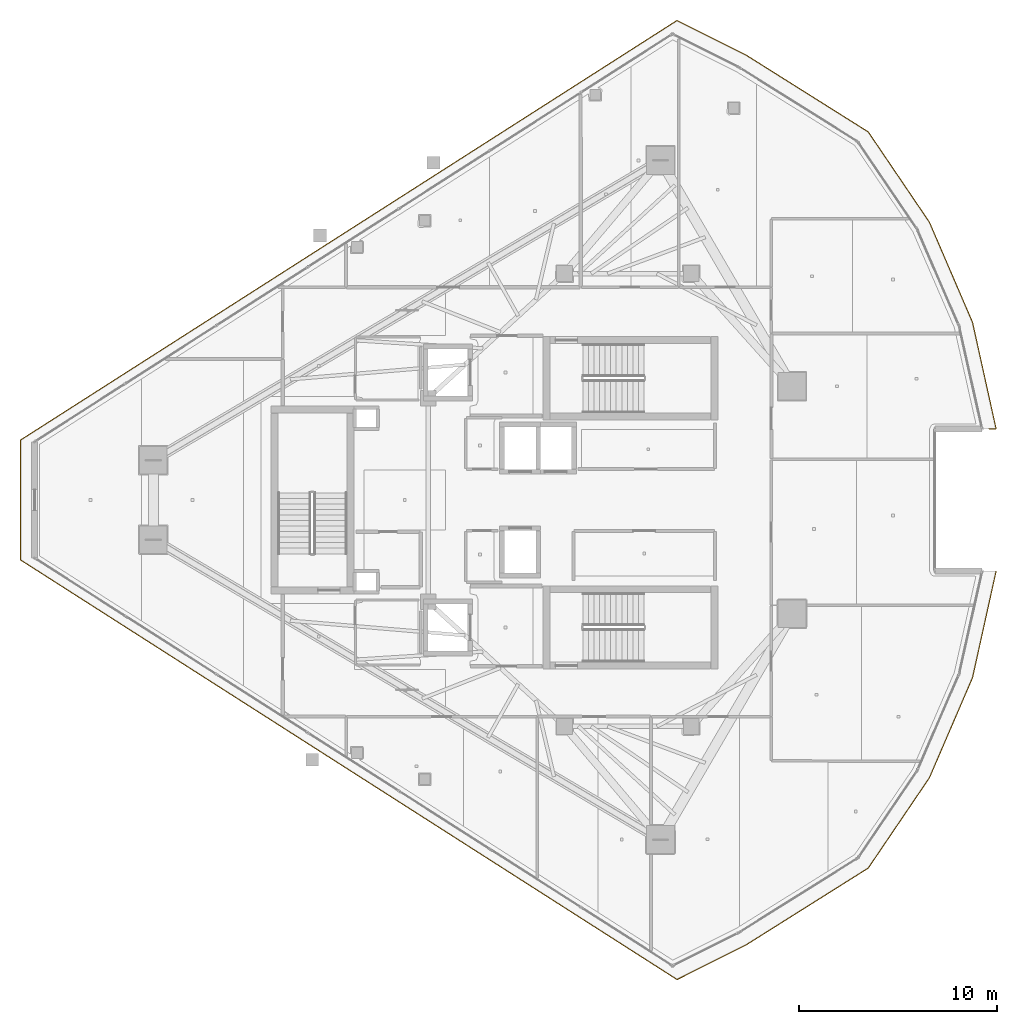
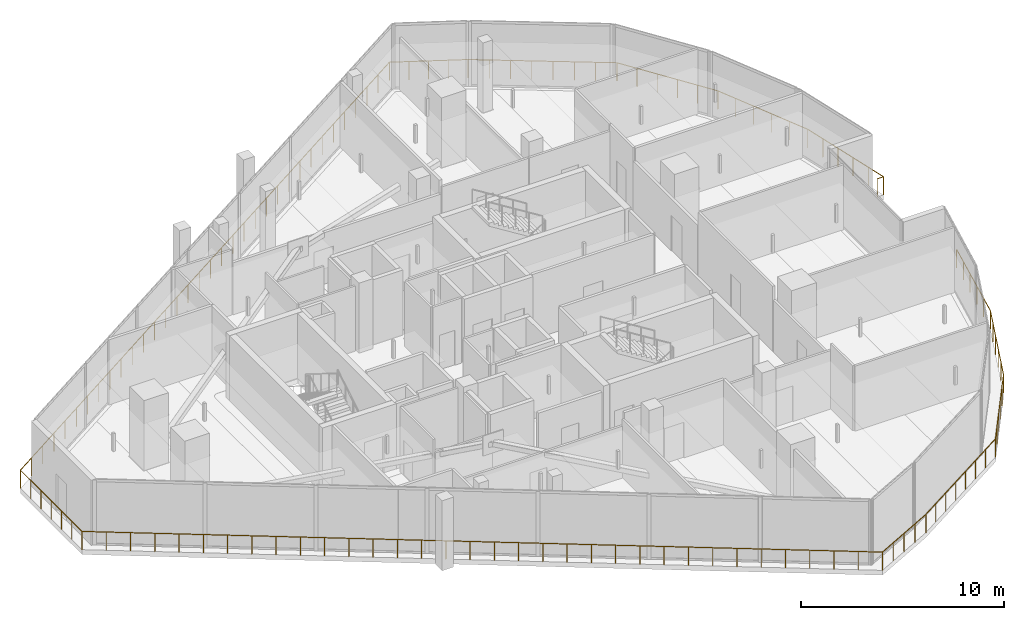
# One storey, part 28 of 30: 1 railing.
"""IFC4 building model written with IfcOpenShell, lengths in metres."""

import ifcopenshell
import ifcopenshell.guid

model = None  # the IFC model being written
_history = None  # IfcOwnerHistory: only IFC2X3 demands one
_inside = {}  # id of a spatial element -> (the spatial element, [elements in it])
_under = {}  # id of a project, library or spatial element -> (it, [spatial elements below it])
_declared = {}  # id of a project -> (the project, [libraries it declares])
_typed = {}  # id of a type object -> (the type object, [elements of that type])
_made_of = {}  # id of a material, layer set ... -> (it, [elements and type objects made of it])


def new_model(schema):
    """Start an empty IFC model of exactly this schema.

    Asked for "IFC4X3", IfcOpenShell would pick the latest addendum, in which some entities
    have other attributes; the version numbers below select the first issue.
    IFC2X3 requires an IfcOwnerHistory on every rooted entity: one is made here for all.
    """
    global model, _history
    if schema == "IFC4X3":
        model = ifcopenshell.file(schema_version=(4, 3, 0, 0))
    else:
        model = ifcopenshell.file(schema=schema)
    _inside.clear()
    _under.clear()
    _declared.clear()
    _typed.clear()
    _made_of.clear()
    _history = None
    if model.schema == "IFC2X3":
        org = make("IfcOrganization", Name="unknown")
        user = make(
            "IfcPersonAndOrganization",
            ThePerson=make("IfcPerson", FamilyName="unknown"),
            TheOrganization=org,
        )
        app = make(
            "IfcApplication",
            ApplicationDeveloper=org,
            Version="unknown",
            ApplicationFullName="unknown",
            ApplicationIdentifier="unknown",
        )
        _history = make(
            "IfcOwnerHistory",
            OwningUser=user,
            OwningApplication=app,
            ChangeAction="ADDED",
            CreationDate=0,
        )
    return model


def make(cls, **values):
    """One entity of the class cls with the attributes given. An attribute that is None is left unset."""
    return model.create_entity(
        cls, **{name: value for name, value in values.items() if value is not None}
    )


def rooted(cls, **values):
    """An entity with a GlobalId (a new one), such as an element, a storey or a relation."""
    return make(cls, GlobalId=ifcopenshell.guid.new(), OwnerHistory=_history, **values)


def si_unit(unit_type, name, prefix=None):
    """IfcSIUnit, for example si_unit("LENGTHUNIT", "METRE", prefix="MILLI")."""
    return make("IfcSIUnit", UnitType=unit_type, Prefix=prefix, Name=name)


def assignment(units):
    """IfcUnitAssignment: the units of a project."""
    return None if units is None else make("IfcUnitAssignment", Units=units)


def point(xyz):
    """IfcCartesianPoint."""
    return None if xyz is None else make("IfcCartesianPoint", Coordinates=xyz)


def direction(xyz):
    """IfcDirection."""
    return None if xyz is None else make("IfcDirection", DirectionRatios=xyz)


def frame(location, z_axis=None, x_axis=None):
    """IfcAxis2Placement3D, a coordinate frame: its origin and axes. An axis left out is left unset."""
    return make(
        "IfcAxis2Placement3D",
        Location=point(location),
        Axis=direction(z_axis),
        RefDirection=direction(x_axis),
    )


def frame_2d(location, x_axis=None):
    """IfcAxis2Placement2D, a coordinate frame in the plane: its origin and x axis."""
    return make(
        "IfcAxis2Placement2D", Location=point(location), RefDirection=direction(x_axis)
    )


def origin():
    """The frame at (0, 0, 0) with its axes left unset."""
    return frame((0.0, 0.0, 0.0))


def origin_2d():
    """The frame at (0, 0) in the plane with its x axis left unset."""
    return frame_2d((0.0, 0.0))


def place(relative_to, where):
    """IfcLocalPlacement: puts the frame where relative to a parent placement (None: the world)."""
    return make(
        "IfcLocalPlacement", PlacementRelTo=relative_to, RelativePlacement=where
    )


def context(
    kind, dimensions, precision=None, world=None, true_north=None, identifier=None
):
    """IfcGeometricRepresentationContext, for example the 3D "Model" context."""
    return make(
        "IfcGeometricRepresentationContext",
        ContextIdentifier=identifier,
        ContextType=kind,
        CoordinateSpaceDimension=dimensions,
        Precision=precision,
        WorldCoordinateSystem=world,
        TrueNorth=true_north,
    )


def subcontext(parent, identifier, kind, view, scale=None):
    """IfcGeometricRepresentationSubContext, for example "Body" below "Model"."""
    return make(
        "IfcGeometricRepresentationSubContext",
        ContextIdentifier=identifier,
        ContextType=kind,
        ParentContext=parent,
        TargetScale=scale,
        TargetView=view,
    )


def project(units=None, contexts=None):
    """IfcProject with its units and contexts."""
    return rooted(
        "IfcProject",
        Name="project",
        RepresentationContexts=contexts,
        UnitsInContext=assignment(units),
    )


def spatial(cls, under=None, at=None, **own):
    """A site, building, storey or space (cls), placed at a placement, below another one or the project."""
    s = rooted(cls, ObjectPlacement=at, **own)
    if under is not None:
        _under.setdefault(under.id(), (under, []))[1].append(s)
    return s


def profile(cls, at=None, kind="AREA", **sizes):
    """A parametric profile (cls). Its sizes go by their IFC names, for example OverallWidth=200.0."""
    return make(cls, ProfileType=kind, Position=at, **sizes)


def circle(**sizes):
    """IfcCircleProfileDef."""
    return profile("IfcCircleProfileDef", **sizes)


def extrude(swept, where, along, depth):
    """IfcExtrudedAreaSolid: the profile swept, set in the frame where, extruded along a direction by depth."""
    return make(
        "IfcExtrudedAreaSolid",
        SweptArea=swept,
        Position=where,
        ExtrudedDirection=direction(along),
        Depth=depth,
    )


def shape(context_of_items, identifier, shape_type, items):
    """IfcShapeRepresentation: the items that make up one representation, for example the "Body"."""
    return make(
        "IfcShapeRepresentation",
        ContextOfItems=context_of_items,
        RepresentationIdentifier=identifier,
        RepresentationType=shape_type,
        Items=items,
    )


def material(Name=None, Category=None):
    """IfcMaterial."""
    return make("IfcMaterial", Name=Name, Category=Category)


def made_of(thing, what):
    """Note that an element or type object is made of a material, layer set ...; save() writes the relation."""
    if what is not None:
        _made_of.setdefault(what.id(), (what, []))[1].append(thing)
    return thing


def type_object(cls, material=None, **own):
    """A type object (cls), such as IfcWallType, which elements share."""
    return made_of(rooted(cls, **own), material)


def element(
    cls,
    number,
    at=None,
    inside=None,
    cuts=None,
    type_object=None,
    material=None,
    context=None,
    identifier="Body",
    shape_type=None,
    held_by="IfcProductDefinitionShape",
    body=None,
    shapes=None,
    **own,
):
    """One element of the class cls, such as IfcWall. Its Tag is "e" and its number.

    at: its placement. inside: the storey or other place that contains it. cuts: it is an
    opening in that element (IfcRelVoidsElement). A single representation is given by context,
    identifier, shape_type and body (its items); several are given by shapes. held_by: the class
    of the entity that holds the representations. save() writes the other relations.
    """
    e = rooted(cls, Tag="e%d" % number, ObjectPlacement=at, **own)
    if body is not None:
        shapes = [shape(context, identifier, shape_type, body)]
    if shapes is not None:
        e.Representation = make(held_by, Representations=shapes)
    if inside is not None:
        _inside.setdefault(inside.id(), (inside, []))[1].append(e)
    if cuts is not None:
        rooted(
            "IfcRelVoidsElement", RelatingBuildingElement=cuts, RelatedOpeningElement=e
        )
    if type_object is not None:
        _typed.setdefault(type_object.id(), (type_object, []))[1].append(e)
    return made_of(e, material)


def aggregate(whole, parts):
    """IfcRelAggregates: a whole, such as a stair, and the parts it consists of."""
    return rooted("IfcRelAggregates", RelatingObject=whole, RelatedObjects=parts)


def save(model, path):
    """Write the relations noted so far, then the file.

    IfcRelAggregates (storeys below a building ...), IfcRelContainedInSpatialStructure (elements
    in a storey), IfcRelDefinesByType, IfcRelAssociatesMaterial and IfcRelDeclares: one each for
    every whole, place, type object, material and project.
    """
    for whole, parts in _under.values():
        aggregate(whole, parts)
    for where, things in _inside.values():
        rooted(
            "IfcRelContainedInSpatialStructure",
            RelatedElements=things,
            RelatingStructure=where,
        )
    for kind, things in _typed.values():
        rooted("IfcRelDefinesByType", RelatedObjects=things, RelatingType=kind)
    for what, things in _made_of.values():
        rooted("IfcRelAssociatesMaterial", RelatedObjects=things, RelatingMaterial=what)
    for by, libraries in _declared.values():
        rooted("IfcRelDeclares", RelatingContext=by, RelatedDefinitions=libraries)
    model.write(path)


model = new_model("IFC4")

# Units and contexts
model_context = context("Model", 3, precision=1e-05, world=origin(), true_north=direction((0.0, 1.0)))
body_context = subcontext(model_context, "Body", "Model", "MODEL_VIEW")
ifc_project = project(units=[si_unit("LENGTHUNIT", "METRE"), si_unit("AREAUNIT", "SQUARE_METRE"), si_unit("VOLUMEUNIT", "CUBIC_METRE"), si_unit("PLANEANGLEUNIT", "RADIAN"), si_unit("MASSUNIT", "GRAM", prefix="KILO")], contexts=[model_context])

# Site, building, storey
site_placement = place(None, origin())
site = spatial("IfcSite", under=ifc_project, at=site_placement, CompositionType="ELEMENT")
building_placement = place(site_placement, origin())
building = spatial("IfcBuilding", under=site, at=building_placement, Name="Qorvath Tower", CompositionType="ELEMENT")
storey_placement = place(building_placement, frame((0.0, 0.0, 289.199951171875)))
storey = spatial("IfcBuildingStorey", under=building, at=storey_placement, Name="L67", CompositionType="ELEMENT", Elevation=289.199951171875)

# Railing
ifc_material = material(Name="Laminated safety glass and stainless steel AISI 316", Category="steel")
railing_type = type_object("IfcRailingType", Name="RL-EXT-GRD", PredefinedType="GUARDRAIL", material=ifc_material)
railing_placement = place(storey_placement, frame((-1.774169921875, -3.601806640625, 0.0)))
element("IfcRailing", 1, at=railing_placement, inside=storey, type_object=railing_type, Name="Loggia Perimeter Guardrail L67-1.1", PredefinedType="GUARDRAIL", context=body_context, shape_type="SweptSolid", body=[
    extrude(circle(Radius=0.02392578125, at=origin_2d()), frame((0.0, 0.0, 1.09619140625), z_axis=(-0.216053937697, -0.976381429568, 0.0), x_axis=(0.976381429568, -0.216053937697, 0.0)), (0.0, 0.0, 1.0), 5.515625),
    extrude(circle(Radius=0.02392578125, at=origin_2d()), frame((-1.191650390625, -5.38525390625, 1.09619140625), z_axis=(-0.395494653924, -0.918468278558, 0.0), x_axis=(0.918468278558, -0.395494653924, 0.0)), (0.0, 0.0, 1.0), 5.515625),
    extrude(circle(Radius=0.02392578125, at=origin_2d()), frame((-3.373046875, -10.451171875, 1.09619140625), z_axis=(-0.560834442594, -0.827927972713, 0.0), x_axis=(0.827927972713, -0.560834442594, 0.0)), (0.0, 0.0, 1.0), 5.515380859375),
    extrude(circle(Radius=0.02392578125, at=origin_2d()), frame((-6.46630859375, -15.017578125, 1.09619140625), z_axis=(-0.846504546498, -0.53238149175, 0.0), x_axis=(0.53238149175, -0.846504546498, 0.0)), (0.0, 0.0, 1.0), 7.33447265625),
    extrude(circle(Radius=0.02392578125, at=origin_2d()), frame((-12.675048828125, -18.92236328125, 1.09619140625), z_axis=(-0.894414587043, -0.447238802526, 0.0), x_axis=(0.447238802526, -0.894414587043, 0.0)), (0.0, 0.0, 1.0), 3.8740234375),
    extrude(circle(Radius=0.02392578125, at=origin_2d()), frame((-16.14013671875, -20.655029296875, 1.09619140625), z_axis=(-0.842602330707, 0.538536268312, 0.0), x_axis=(-0.538536268312, -0.842602330707, 0.0)), (0.0, 0.0, 1.0), 39.412109375),
    extrude(circle(Radius=0.02392578125, at=origin_2d()), frame((-49.348876953125, 0.56982421875, 1.09619140625), z_axis=(0.0, 1.0, 0.0), x_axis=(-1.0, 0.0, 0.0)), (0.0, 0.0, 1.0), 6.06396484375),
    extrude(circle(Radius=0.02392578125, at=origin_2d()), frame((-49.348876953125, 6.6337890625, 1.09619140625), z_axis=(0.842602330707, 0.538536268312, 0.0), x_axis=(-0.538536268312, 0.842602330707, 0.0)), (0.0, 0.0, 1.0), 39.412109375),
    extrude(circle(Radius=0.02392578125, at=origin_2d()), frame((-16.14013671875, 27.858642578125, 1.09619140625), z_axis=(0.894414587043, -0.447238802526, 0.0), x_axis=(0.447238802526, 0.894414587043, 0.0)), (0.0, 0.0, 1.0), 3.8740234375),
    extrude(circle(Radius=0.02392578125, at=origin_2d()), frame((-12.675048828125, 26.1259765625, 1.09619140625), z_axis=(0.846504546498, -0.53238149175, 0.0), x_axis=(0.53238149175, 0.846504546498, 0.0)), (0.0, 0.0, 1.0), 7.33447265625),
    extrude(circle(Radius=0.02392578125, at=origin_2d()), frame((-6.46630859375, 22.22119140625, 1.09619140625), z_axis=(0.560834442594, -0.827927972713, 0.0), x_axis=(0.827927972713, 0.560834442594, 0.0)), (0.0, 0.0, 1.0), 5.515380859375),
    extrude(circle(Radius=0.02392578125, at=origin_2d()), frame((-3.373046875, 17.65478515625, 1.09619140625), z_axis=(0.395494653924, -0.918468278558, 0.0), x_axis=(0.918468278558, 0.395494653924, 0.0)), (0.0, 0.0, 1.0), 5.515625),
    extrude(circle(Radius=0.02392578125, at=origin_2d()), frame((-1.191650390625, 12.5888671875, 1.09619140625), z_axis=(0.216053937697, -0.976381429568, 0.0), x_axis=(0.976381429568, 0.216053937697, 0.0)), (0.0, 0.0, 1.0), 5.515625),
    extrude(circle(Radius=0.02392578125, at=origin_2d()), frame((0.0, 7.20361328125, 1.09619140625), z_axis=(-1.0, 0.0, 0.0), x_axis=(0.0, -1.0, 0.0)), (0.0, 0.0, 1.0), 0.35400390625),
    extrude(circle(Radius=0.02099609375, at=origin_2d()), origin(), (0.0, 0.0, 1.0), 1.072021484375),
    extrude(circle(Radius=0.02099609375, at=origin_2d()), frame((-0.23828125, -1.0771484375, 0.0)), (0.0, 0.0, 1.0), 1.072021484375),
    extrude(circle(Radius=0.02099609375, at=origin_2d()), frame((-0.4765625, -2.154052734375, 0.0)), (0.0, 0.0, 1.0), 1.072021484375),
    extrude(circle(Radius=0.02099609375, at=origin_2d()), frame((-0.715087890625, -3.231201171875, 0.0)), (0.0, 0.0, 1.0), 1.072021484375),
    extrude(circle(Radius=0.02099609375, at=origin_2d()), frame((-0.953369140625, -4.30810546875, 0.0)), (0.0, 0.0, 1.0), 1.072021484375),
    extrude(circle(Radius=0.02099609375, at=origin_2d()), frame((-1.191650390625, -5.38525390625, 0.0)), (0.0, 0.0, 1.0), 1.072021484375),
    extrude(circle(Radius=0.02099609375, at=origin_2d()), frame((-1.6279296875, -6.3984375, 0.0)), (0.0, 0.0, 1.0), 1.072021484375),
    extrude(circle(Radius=0.02099609375, at=origin_2d()), frame((-2.064208984375, -7.41162109375, 0.0)), (0.0, 0.0, 1.0), 1.072021484375),
    extrude(circle(Radius=0.02099609375, at=origin_2d()), frame((-2.50048828125, -8.4248046875, 0.0)), (0.0, 0.0, 1.0), 1.072021484375),
    extrude(circle(Radius=0.02099609375, at=origin_2d()), frame((-2.936767578125, -9.43798828125, 0.0)), (0.0, 0.0, 1.0), 1.072021484375),
    extrude(circle(Radius=0.02099609375, at=origin_2d()), frame((-3.373046875, -10.451171875, 0.0)), (0.0, 0.0, 1.0), 1.072021484375),
    extrude(circle(Radius=0.02099609375, at=origin_2d()), frame((-3.99169921875, -11.364501953125, 0.0)), (0.0, 0.0, 1.0), 1.072021484375),
    extrude(circle(Radius=0.02099609375, at=origin_2d()), frame((-4.6103515625, -12.27783203125, 0.0)), (0.0, 0.0, 1.0), 1.072021484375),
    extrude(circle(Radius=0.02099609375, at=origin_2d()), frame((-5.22900390625, -13.19091796875, 0.0)), (0.0, 0.0, 1.0), 1.072021484375),
    extrude(circle(Radius=0.02099609375, at=origin_2d()), frame((-5.84765625, -14.104248046875, 0.0)), (0.0, 0.0, 1.0), 1.072021484375),
    extrude(circle(Radius=0.02099609375, at=origin_2d()), frame((-6.46630859375, -15.017578125, 0.0)), (0.0, 0.0, 1.0), 1.072021484375),
    extrude(circle(Radius=0.02099609375, at=origin_2d()), frame((-7.353271484375, -15.575439453125, 0.0)), (0.0, 0.0, 1.0), 1.072021484375),
    extrude(circle(Radius=0.02099609375, at=origin_2d()), frame((-8.240234375, -16.13330078125, 0.0)), (0.0, 0.0, 1.0), 1.072021484375),
    extrude(circle(Radius=0.02099609375, at=origin_2d()), frame((-9.127197265625, -16.691162109375, 0.0)), (0.0, 0.0, 1.0), 1.072021484375),
    extrude(circle(Radius=0.02099609375, at=origin_2d()), frame((-10.01416015625, -17.248779296875, 0.0)), (0.0, 0.0, 1.0), 1.072021484375),
    extrude(circle(Radius=0.02099609375, at=origin_2d()), frame((-10.901123046875, -17.806640625, 0.0)), (0.0, 0.0, 1.0), 1.072021484375),
    extrude(circle(Radius=0.02099609375, at=origin_2d()), frame((-11.7880859375, -18.364501953125, 0.0)), (0.0, 0.0, 1.0), 1.072021484375),
    extrude(circle(Radius=0.02099609375, at=origin_2d()), frame((-12.675048828125, -18.92236328125, 0.0)), (0.0, 0.0, 1.0), 1.072021484375),
    extrude(circle(Radius=0.02099609375, at=origin_2d()), frame((-13.541259765625, -19.35546875, 0.0)), (0.0, 0.0, 1.0), 1.072021484375),
    extrude(circle(Radius=0.02099609375, at=origin_2d()), frame((-14.40771484375, -19.78857421875, 0.0)), (0.0, 0.0, 1.0), 1.072021484375),
    extrude(circle(Radius=0.02099609375, at=origin_2d()), frame((-15.27392578125, -20.221923828125, 0.0)), (0.0, 0.0, 1.0), 1.072021484375),
    extrude(circle(Radius=0.02099609375, at=origin_2d()), frame((-16.14013671875, -20.655029296875, 0.0)), (0.0, 0.0, 1.0), 1.072021484375),
    extrude(circle(Radius=0.02099609375, at=origin_2d()), frame((-17.146484375, -20.011962890625, 0.0)), (0.0, 0.0, 1.0), 1.072021484375),
    extrude(circle(Radius=0.02099609375, at=origin_2d()), frame((-18.15283203125, -19.36865234375, 0.0)), (0.0, 0.0, 1.0), 1.072021484375),
    extrude(circle(Radius=0.02099609375, at=origin_2d()), frame((-19.1591796875, -18.7255859375, 0.0)), (0.0, 0.0, 1.0), 1.072021484375),
    extrude(circle(Radius=0.02099609375, at=origin_2d()), frame((-20.16552734375, -18.082275390625, 0.0)), (0.0, 0.0, 1.0), 1.072021484375),
    extrude(circle(Radius=0.02099609375, at=origin_2d()), frame((-21.171875, -17.439208984375, 0.0)), (0.0, 0.0, 1.0), 1.072021484375),
    extrude(circle(Radius=0.02099609375, at=origin_2d()), frame((-22.177978515625, -16.7958984375, 0.0)), (0.0, 0.0, 1.0), 1.072021484375),
    extrude(circle(Radius=0.02099609375, at=origin_2d()), frame((-23.184326171875, -16.15283203125, 0.0)), (0.0, 0.0, 1.0), 1.072021484375),
    extrude(circle(Radius=0.02099609375, at=origin_2d()), frame((-24.190673828125, -15.509521484375, 0.0)), (0.0, 0.0, 1.0), 1.072021484375),
    extrude(circle(Radius=0.02099609375, at=origin_2d()), frame((-25.197021484375, -14.866455078125, 0.0)), (0.0, 0.0, 1.0), 1.072021484375),
    extrude(circle(Radius=0.02099609375, at=origin_2d()), frame((-26.203369140625, -14.22314453125, 0.0)), (0.0, 0.0, 1.0), 1.072021484375),
    extrude(circle(Radius=0.02099609375, at=origin_2d()), frame((-27.209716796875, -13.580078125, 0.0)), (0.0, 0.0, 1.0), 1.072021484375),
    extrude(circle(Radius=0.02099609375, at=origin_2d()), frame((-28.216064453125, -12.93701171875, 0.0)), (0.0, 0.0, 1.0), 1.072021484375),
    extrude(circle(Radius=0.02099609375, at=origin_2d()), frame((-29.222412109375, -12.293701171875, 0.0)), (0.0, 0.0, 1.0), 1.072021484375),
    extrude(circle(Radius=0.02099609375, at=origin_2d()), frame((-30.228759765625, -11.650634765625, 0.0)), (0.0, 0.0, 1.0), 1.072021484375),
    extrude(circle(Radius=0.02099609375, at=origin_2d()), frame((-31.235107421875, -11.00732421875, 0.0)), (0.0, 0.0, 1.0), 1.072021484375),
    extrude(circle(Radius=0.02099609375, at=origin_2d()), frame((-32.241455078125, -10.3642578125, 0.0)), (0.0, 0.0, 1.0), 1.072021484375),
    extrude(circle(Radius=0.02099609375, at=origin_2d()), frame((-33.24755859375, -9.720947265625, 0.0)), (0.0, 0.0, 1.0), 1.072021484375),
    extrude(circle(Radius=0.02099609375, at=origin_2d()), frame((-34.25390625, -9.077880859375, 0.0)), (0.0, 0.0, 1.0), 1.072021484375),
    extrude(circle(Radius=0.02099609375, at=origin_2d()), frame((-35.26025390625, -8.4345703125, 0.0)), (0.0, 0.0, 1.0), 1.072021484375),
    extrude(circle(Radius=0.02099609375, at=origin_2d()), frame((-36.2666015625, -7.79150390625, 0.0)), (0.0, 0.0, 1.0), 1.072021484375),
    extrude(circle(Radius=0.02099609375, at=origin_2d()), frame((-37.27294921875, -7.148193359375, 0.0)), (0.0, 0.0, 1.0), 1.072021484375),
    extrude(circle(Radius=0.02099609375, at=origin_2d()), frame((-38.279296875, -6.505126953125, 0.0)), (0.0, 0.0, 1.0), 1.072021484375),
    extrude(circle(Radius=0.02099609375, at=origin_2d()), frame((-39.28564453125, -5.862060546875, 0.0)), (0.0, 0.0, 1.0), 1.072021484375),
    extrude(circle(Radius=0.02099609375, at=origin_2d()), frame((-40.2919921875, -5.21875, 0.0)), (0.0, 0.0, 1.0), 1.072021484375),
    extrude(circle(Radius=0.02099609375, at=origin_2d()), frame((-41.29833984375, -4.57568359375, 0.0)), (0.0, 0.0, 1.0), 1.072021484375),
    extrude(circle(Radius=0.02099609375, at=origin_2d()), frame((-42.3046875, -3.932373046875, 0.0)), (0.0, 0.0, 1.0), 1.072021484375),
    extrude(circle(Radius=0.02099609375, at=origin_2d()), frame((-43.31103515625, -3.289306640625, 0.0)), (0.0, 0.0, 1.0), 1.072021484375),
    extrude(circle(Radius=0.02099609375, at=origin_2d()), frame((-44.317138671875, -2.64599609375, 0.0)), (0.0, 0.0, 1.0), 1.072021484375),
    extrude(circle(Radius=0.02099609375, at=origin_2d()), frame((-45.323486328125, -2.0029296875, 0.0)), (0.0, 0.0, 1.0), 1.072021484375),
    extrude(circle(Radius=0.02099609375, at=origin_2d()), frame((-46.329833984375, -1.359619140625, 0.0)), (0.0, 0.0, 1.0), 1.072021484375),
    extrude(circle(Radius=0.02099609375, at=origin_2d()), frame((-47.336181640625, -0.716552734375, 0.0)), (0.0, 0.0, 1.0), 1.072021484375),
    extrude(circle(Radius=0.02099609375, at=origin_2d()), frame((-48.342529296875, -0.0732421875, 0.0)), (0.0, 0.0, 1.0), 1.072021484375),
    extrude(circle(Radius=0.02099609375, at=origin_2d()), frame((-49.348876953125, 0.56982421875, 0.0)), (0.0, 0.0, 1.0), 1.072021484375),
    extrude(circle(Radius=0.02099609375, at=origin_2d()), frame((-49.348876953125, 1.58056640625, 0.0)), (0.0, 0.0, 1.0), 1.072021484375),
    extrude(circle(Radius=0.02099609375, at=origin_2d()), frame((-49.348876953125, 2.591064453125, 0.0)), (0.0, 0.0, 1.0), 1.072021484375),
    extrude(circle(Radius=0.02099609375, at=origin_2d()), frame((-49.348876953125, 3.601806640625, 0.0)), (0.0, 0.0, 1.0), 1.072021484375),
    extrude(circle(Radius=0.02099609375, at=origin_2d()), frame((-49.348876953125, 4.612548828125, 0.0)), (0.0, 0.0, 1.0), 1.072021484375),
    extrude(circle(Radius=0.02099609375, at=origin_2d()), frame((-49.348876953125, 5.623046875, 0.0)), (0.0, 0.0, 1.0), 1.072021484375),
    extrude(circle(Radius=0.02099609375, at=origin_2d()), frame((-49.348876953125, 6.6337890625, 0.0)), (0.0, 0.0, 1.0), 1.072021484375),
    extrude(circle(Radius=0.02099609375, at=origin_2d()), frame((-48.342529296875, 7.27685546875, 0.0)), (0.0, 0.0, 1.0), 1.072021484375),
    extrude(circle(Radius=0.02099609375, at=origin_2d()), frame((-47.336181640625, 7.920166015625, 0.0)), (0.0, 0.0, 1.0), 1.072021484375),
    extrude(circle(Radius=0.02099609375, at=origin_2d()), frame((-46.329833984375, 8.563232421875, 0.0)), (0.0, 0.0, 1.0), 1.072021484375),
    extrude(circle(Radius=0.02099609375, at=origin_2d()), frame((-45.323486328125, 9.20654296875, 0.0)), (0.0, 0.0, 1.0), 1.072021484375),
    extrude(circle(Radius=0.02099609375, at=origin_2d()), frame((-44.317138671875, 9.849609375, 0.0)), (0.0, 0.0, 1.0), 1.072021484375),
    extrude(circle(Radius=0.02099609375, at=origin_2d()), frame((-43.31103515625, 10.492919921875, 0.0)), (0.0, 0.0, 1.0), 1.072021484375),
    extrude(circle(Radius=0.02099609375, at=origin_2d()), frame((-42.3046875, 11.135986328125, 0.0)), (0.0, 0.0, 1.0), 1.072021484375),
    extrude(circle(Radius=0.02099609375, at=origin_2d()), frame((-41.29833984375, 11.779296875, 0.0)), (0.0, 0.0, 1.0), 1.072021484375),
    extrude(circle(Radius=0.02099609375, at=origin_2d()), frame((-40.2919921875, 12.42236328125, 0.0)), (0.0, 0.0, 1.0), 1.072021484375),
    extrude(circle(Radius=0.02099609375, at=origin_2d()), frame((-39.28564453125, 13.065673828125, 0.0)), (0.0, 0.0, 1.0), 1.072021484375),
    extrude(circle(Radius=0.02099609375, at=origin_2d()), frame((-38.279296875, 13.708740234375, 0.0)), (0.0, 0.0, 1.0), 1.072021484375),
    extrude(circle(Radius=0.02099609375, at=origin_2d()), frame((-37.27294921875, 14.351806640625, 0.0)), (0.0, 0.0, 1.0), 1.072021484375),
    extrude(circle(Radius=0.02099609375, at=origin_2d()), frame((-36.2666015625, 14.9951171875, 0.0)), (0.0, 0.0, 1.0), 1.072021484375),
    extrude(circle(Radius=0.02099609375, at=origin_2d()), frame((-35.26025390625, 15.63818359375, 0.0)), (0.0, 0.0, 1.0), 1.072021484375),
    extrude(circle(Radius=0.02099609375, at=origin_2d()), frame((-34.25390625, 16.281494140625, 0.0)), (0.0, 0.0, 1.0), 1.072021484375),
    extrude(circle(Radius=0.02099609375, at=origin_2d()), frame((-33.24755859375, 16.924560546875, 0.0)), (0.0, 0.0, 1.0), 1.072021484375),
    extrude(circle(Radius=0.02099609375, at=origin_2d()), frame((-32.241455078125, 17.56787109375, 0.0)), (0.0, 0.0, 1.0), 1.072021484375),
    extrude(circle(Radius=0.02099609375, at=origin_2d()), frame((-31.235107421875, 18.2109375, 0.0)), (0.0, 0.0, 1.0), 1.072021484375),
    extrude(circle(Radius=0.02099609375, at=origin_2d()), frame((-30.228759765625, 18.854248046875, 0.0)), (0.0, 0.0, 1.0), 1.072021484375),
    extrude(circle(Radius=0.02099609375, at=origin_2d()), frame((-29.222412109375, 19.497314453125, 0.0)), (0.0, 0.0, 1.0), 1.072021484375),
    extrude(circle(Radius=0.02099609375, at=origin_2d()), frame((-28.216064453125, 20.140625, 0.0)), (0.0, 0.0, 1.0), 1.072021484375),
    extrude(circle(Radius=0.02099609375, at=origin_2d()), frame((-27.209716796875, 20.78369140625, 0.0)), (0.0, 0.0, 1.0), 1.072021484375),
    extrude(circle(Radius=0.02099609375, at=origin_2d()), frame((-26.203369140625, 21.4267578125, 0.0)), (0.0, 0.0, 1.0), 1.072021484375),
    extrude(circle(Radius=0.02099609375, at=origin_2d()), frame((-25.197021484375, 22.070068359375, 0.0)), (0.0, 0.0, 1.0), 1.072021484375),
    extrude(circle(Radius=0.02099609375, at=origin_2d()), frame((-24.190673828125, 22.713134765625, 0.0)), (0.0, 0.0, 1.0), 1.072021484375),
    extrude(circle(Radius=0.02099609375, at=origin_2d()), frame((-23.184326171875, 23.3564453125, 0.0)), (0.0, 0.0, 1.0), 1.072021484375),
    extrude(circle(Radius=0.02099609375, at=origin_2d()), frame((-22.177978515625, 23.99951171875, 0.0)), (0.0, 0.0, 1.0), 1.072021484375),
    extrude(circle(Radius=0.02099609375, at=origin_2d()), frame((-21.171875, 24.642822265625, 0.0)), (0.0, 0.0, 1.0), 1.072021484375),
    extrude(circle(Radius=0.02099609375, at=origin_2d()), frame((-20.16552734375, 25.285888671875, 0.0)), (0.0, 0.0, 1.0), 1.072021484375),
    extrude(circle(Radius=0.02099609375, at=origin_2d()), frame((-19.1591796875, 25.92919921875, 0.0)), (0.0, 0.0, 1.0), 1.072021484375),
    extrude(circle(Radius=0.02099609375, at=origin_2d()), frame((-18.15283203125, 26.572265625, 0.0)), (0.0, 0.0, 1.0), 1.072021484375),
    extrude(circle(Radius=0.02099609375, at=origin_2d()), frame((-17.146484375, 27.215576171875, 0.0)), (0.0, 0.0, 1.0), 1.072021484375),
    extrude(circle(Radius=0.02099609375, at=origin_2d()), frame((-16.14013671875, 27.858642578125, 0.0)), (0.0, 0.0, 1.0), 1.072021484375),
    extrude(circle(Radius=0.02099609375, at=origin_2d()), frame((-15.27392578125, 27.425537109375, 0.0)), (0.0, 0.0, 1.0), 1.072021484375),
    extrude(circle(Radius=0.02099609375, at=origin_2d()), frame((-14.40771484375, 26.9921875, 0.0)), (0.0, 0.0, 1.0), 1.072021484375),
    extrude(circle(Radius=0.02099609375, at=origin_2d()), frame((-13.541259765625, 26.55908203125, 0.0)), (0.0, 0.0, 1.0), 1.072021484375),
    extrude(circle(Radius=0.02099609375, at=origin_2d()), frame((-12.675048828125, 26.1259765625, 0.0)), (0.0, 0.0, 1.0), 1.072021484375),
    extrude(circle(Radius=0.02099609375, at=origin_2d()), frame((-11.7880859375, 25.568115234375, 0.0)), (0.0, 0.0, 1.0), 1.072021484375),
    extrude(circle(Radius=0.02099609375, at=origin_2d()), frame((-10.901123046875, 25.01025390625, 0.0)), (0.0, 0.0, 1.0), 1.072021484375),
    extrude(circle(Radius=0.02099609375, at=origin_2d()), frame((-10.01416015625, 24.452392578125, 0.0)), (0.0, 0.0, 1.0), 1.072021484375),
    extrude(circle(Radius=0.02099609375, at=origin_2d()), frame((-9.127197265625, 23.894775390625, 0.0)), (0.0, 0.0, 1.0), 1.072021484375),
    extrude(circle(Radius=0.02099609375, at=origin_2d()), frame((-8.240234375, 23.3369140625, 0.0)), (0.0, 0.0, 1.0), 1.072021484375),
    extrude(circle(Radius=0.02099609375, at=origin_2d()), frame((-7.353271484375, 22.779052734375, 0.0)), (0.0, 0.0, 1.0), 1.072021484375),
    extrude(circle(Radius=0.02099609375, at=origin_2d()), frame((-6.46630859375, 22.22119140625, 0.0)), (0.0, 0.0, 1.0), 1.072021484375),
    extrude(circle(Radius=0.02099609375, at=origin_2d()), frame((-5.84765625, 21.307861328125, 0.0)), (0.0, 0.0, 1.0), 1.072021484375),
    extrude(circle(Radius=0.02099609375, at=origin_2d()), frame((-5.22900390625, 20.39453125, 0.0)), (0.0, 0.0, 1.0), 1.072021484375),
    extrude(circle(Radius=0.02099609375, at=origin_2d()), frame((-4.6103515625, 19.4814453125, 0.0)), (0.0, 0.0, 1.0), 1.072021484375),
    extrude(circle(Radius=0.02099609375, at=origin_2d()), frame((-3.99169921875, 18.568115234375, 0.0)), (0.0, 0.0, 1.0), 1.072021484375),
    extrude(circle(Radius=0.02099609375, at=origin_2d()), frame((-3.373046875, 17.65478515625, 0.0)), (0.0, 0.0, 1.0), 1.072021484375),
    extrude(circle(Radius=0.02099609375, at=origin_2d()), frame((-2.936767578125, 16.6416015625, 0.0)), (0.0, 0.0, 1.0), 1.072021484375),
    extrude(circle(Radius=0.02099609375, at=origin_2d()), frame((-2.50048828125, 15.62841796875, 0.0)), (0.0, 0.0, 1.0), 1.072021484375),
    extrude(circle(Radius=0.02099609375, at=origin_2d()), frame((-2.064208984375, 14.615234375, 0.0)), (0.0, 0.0, 1.0), 1.072021484375),
    extrude(circle(Radius=0.02099609375, at=origin_2d()), frame((-1.6279296875, 13.60205078125, 0.0)), (0.0, 0.0, 1.0), 1.072021484375),
    extrude(circle(Radius=0.02099609375, at=origin_2d()), frame((-1.191650390625, 12.5888671875, 0.0)), (0.0, 0.0, 1.0), 1.072021484375),
    extrude(circle(Radius=0.02099609375, at=origin_2d()), frame((-0.953369140625, 11.51171875, 0.0)), (0.0, 0.0, 1.0), 1.072021484375),
    extrude(circle(Radius=0.02099609375, at=origin_2d()), frame((-0.715087890625, 10.434814453125, 0.0)), (0.0, 0.0, 1.0), 1.072021484375),
    extrude(circle(Radius=0.02099609375, at=origin_2d()), frame((-0.4765625, 9.357666015625, 0.0)), (0.0, 0.0, 1.0), 1.072021484375),
    extrude(circle(Radius=0.02099609375, at=origin_2d()), frame((-0.23828125, 8.28076171875, 0.0)), (0.0, 0.0, 1.0), 1.072021484375),
    extrude(circle(Radius=0.02099609375, at=origin_2d()), frame((0.0, 7.20361328125, 0.0)), (0.0, 0.0, 1.0), 1.072021484375),
    extrude(circle(Radius=0.02099609375, at=origin_2d()), frame((-0.35400390625, 7.20361328125, 0.0)), (0.0, 0.0, 1.0), 1.072021484375),
])

save(model, "model.ifc")
